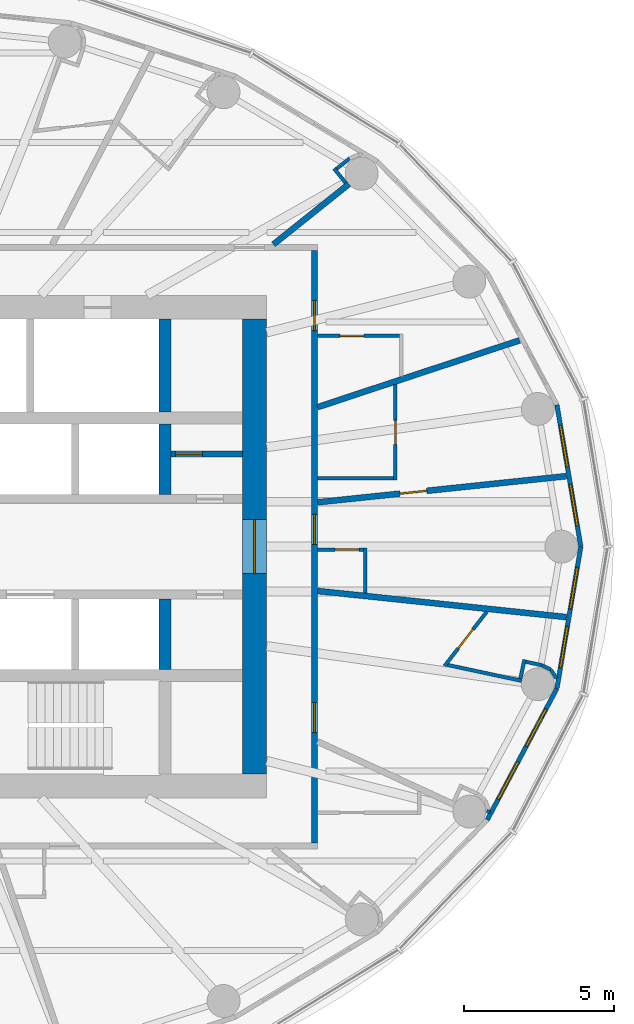
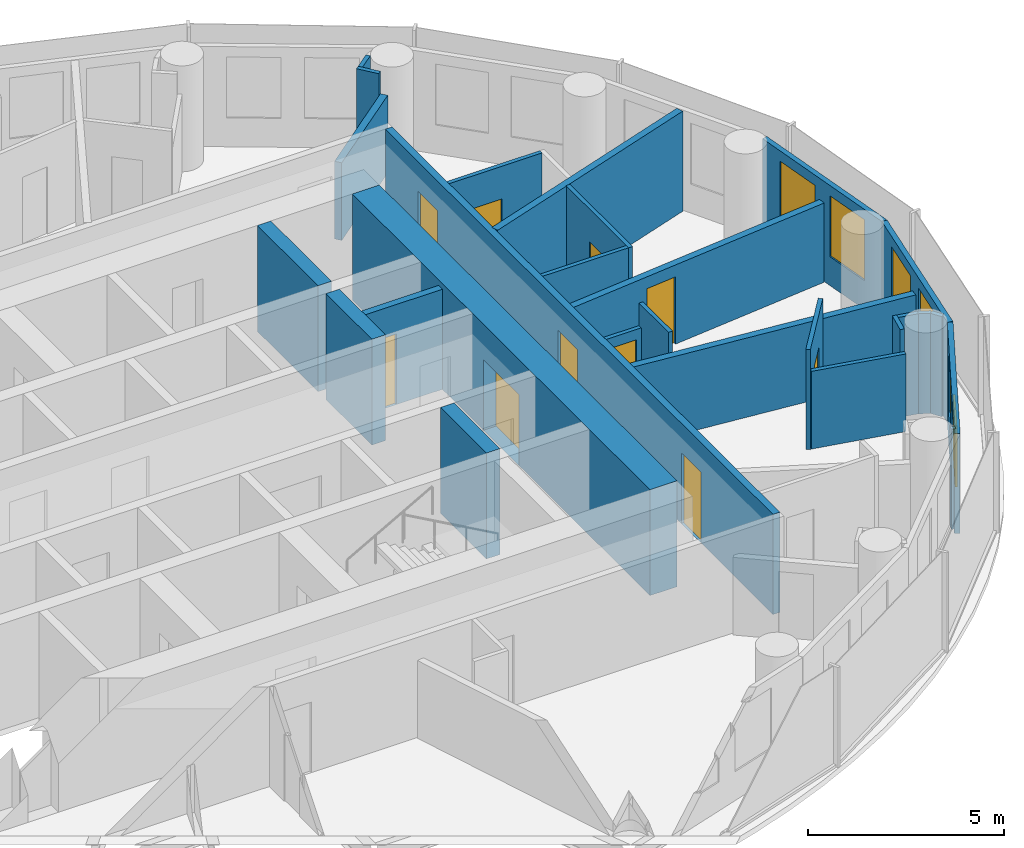
# One storey, part 11 of 16: 27 walls, 10 doors, 6 windows, 16 openings.
"""IFC4 building model written with IfcOpenShell, lengths in metres."""

from ifc_helpers import new_model, si_unit, direction, frame, frame_2d, origin, place, context, subcontext, project, spatial, rectangle, extrude, material, layer, layer_set, type_object, element, fill, save


model = new_model("IFC4")

# Units and contexts
model_context = context("Model", 3, precision=1e-05, world=origin(), true_north=direction((0.0, 1.0)))
body_context = subcontext(model_context, "Body", "Model", "MODEL_VIEW")
ifc_project = project(units=[si_unit("LENGTHUNIT", "METRE"), si_unit("AREAUNIT", "SQUARE_METRE"), si_unit("VOLUMEUNIT", "CUBIC_METRE"), si_unit("PLANEANGLEUNIT", "RADIAN"), si_unit("MASSUNIT", "GRAM", prefix="KILO")], contexts=[model_context])

# Site, building, storey
site_placement = place(None, origin())
site = spatial("IfcSite", under=ifc_project, at=site_placement, CompositionType="ELEMENT")
building_placement = place(site_placement, origin())
building = spatial("IfcBuilding", under=site, at=building_placement, Name="Hankou Lantern Tower", CompositionType="ELEMENT")
storey_placement = place(building_placement, frame((0.0, 0.0, 166.5)))
storey = spatial("IfcBuildingStorey", under=building, at=storey_placement, Name="L44", CompositionType="ELEMENT", Elevation=166.5)

# Wall, opening, door
ifc_material_1 = material(Name="Concrete C60", Category="concrete")
ifc_layer_1 = layer(ifc_material_1, 0.800048828125)
ifc_layer_set_1 = layer_set([ifc_layer_1], Name="Concrete C60")
wall_type_1 = type_object("IfcWallType", Name="CW2 CORE WALL 800", PredefinedType="SHEAR", material=ifc_layer_set_1)
wall_1_placement = place(storey_placement, frame((12.0, -7.60009765625, 0.0), z_axis=(0.0, 0.0, 1.0), x_axis=(0.0, 1.0, 0.0)))
wall_1 = element("IfcWall", 1, at=wall_1_placement, inside=storey, type_object=wall_type_1, Name="Core wall east L44", PredefinedType="SHEAR", context=body_context, shape_type="SweptSolid", body=[
    extrude(rectangle(XDim=15.2001953125, YDim=0.800048828125, at=frame_2d((7.60009765625, 0.0))), origin(), (0.0, 0.0, 1.0), 3.300048828125),
])
opening_1_placement = place(wall_1_placement, frame((6.699951171875, 0.0, 0.0)))
opening_1 = element("IfcOpeningElement", 2, at=opening_1_placement, cuts=wall_1, Name="Opening D6", PredefinedType="OPENING", context=body_context, shape_type="SweptSolid", body=[
    extrude(rectangle(XDim=1.800048828125, YDim=2.199951171875, at=frame_2d((0.89990234375, 1.10009765625))), frame((0.0, 0.409912109375, 0.0), z_axis=(0.0, -1.0, 0.0), x_axis=(1.0, 0.0, 0.0)), (0.0, 0.0, 1.0), 0.820068359375),
])
ifc_material_2 = material(Name="Steel door leaf", Category="steel")
door_type_1 = type_object("IfcDoorType", Name="D6 LIFT LOBBY DOOR 1800X2200", OperationType="DOUBLE_DOOR_DOUBLE_SWING", PredefinedType="DOOR", material=ifc_material_2)
door_1_placement = place(opening_1_placement, origin())
door_1 = element("IfcDoor", 3, at=door_1_placement, inside=storey, type_object=door_type_1, Name="Lift lobby east door", OperationType="DOUBLE_DOOR_DOUBLE_SWING", OverallHeight=2.199951171875, OverallWidth=1.800048828125, PredefinedType="DOOR", context=body_context, shape_type="SweptSolid", body=[
    extrude(rectangle(XDim=1.800048828125, YDim=2.199951171875, at=frame_2d((0.89990234375, 1.10009765625))), frame((0.0, 0.02490234375, 0.0), z_axis=(0.0, -1.0, 0.0), x_axis=(1.0, 0.0, 0.0)), (0.0, 0.0, 1.0), 0.050048828125),
])
fill(opening_1, door_1)

# Walls
ifc_material_3 = material(Name="Concrete C60", Category="concrete")
ifc_layer_2 = layer(ifc_material_3, 0.39990234375)
ifc_layer_set_2 = layer_set([ifc_layer_2], Name="Concrete C60")
wall_type_2 = type_object("IfcWallType", Name="CW4 CORE CROSS WALL 400", PredefinedType="SHEAR", material=ifc_layer_set_2)
wall_2_placement = place(storey_placement, frame((9.0, 4.5, 0.0), z_axis=(0.0, 0.0, 1.0), x_axis=(0.0, 1.0, 0.0)))
element("IfcWall", 4, at=wall_2_placement, inside=storey, type_object=wall_type_2, Name="Core strip wall L44", PredefinedType="SHEAR", context=body_context, shape_type="SweptSolid", body=[
    extrude(rectangle(XDim=3.10009765625, YDim=0.39990234375, at=frame_2d((1.550048828125, 0.0))), origin(), (0.0, 0.0, 1.0), 3.300048828125),
])
for number, where, z_axis, x_axis, name in (
    (5, (9.0, 1.75, 0.0), (0.0, 0.0, 1.0), (0.0, 1.0, 0.0), "Core strip wall L44"),
    (6, (9.0, -4.10009765625, 0.0), (0.0, 0.0, 1.0), (0.0, 1.0, 0.0), "Core strip wall L44"),
):
    element("IfcWall", number, at=place(storey_placement, frame(where, z_axis=z_axis, x_axis=x_axis)), inside=storey, type_object=wall_type_2, Name=name, PredefinedType="SHEAR", context=body_context, shape_type="SweptSolid", body=[
        extrude(rectangle(XDim=2.35009765625, YDim=0.39990234375, at=frame_2d((1.175048828125, 0.0))), origin(), (0.0, 0.0, 1.0), 3.300048828125),
    ])

# Wall, openings, windows
ifc_material_4 = material(Name="Aluminium spandrel panel on steel studs", Category="steel")
ifc_layer_3 = layer(ifc_material_4, 0.14990234375)
ifc_layer_set_3 = layer_set([ifc_layer_3], Name="Aluminium spandrel panel on steel studs")
wall_type_3 = type_object("IfcWallType", Name="EW1 INNER SKIN WALL 150", PredefinedType="ELEMENTEDWALL", material=ifc_layer_set_3)
wall_3_placement = place(storey_placement, frame((22.89990234375, 0.0, 0.0), z_axis=(0.0, 0.0, 1.0), x_axis=(-0.166162111254, 0.986098449843, 0.0)))
wall_3 = element("IfcWall", 7, at=wall_3_placement, inside=storey, type_object=wall_type_3, Name="Inner skin R01-R02 L44", PredefinedType="ELEMENTEDWALL", context=body_context, shape_type="SweptSolid", body=[
    extrude(rectangle(XDim=4.8046875, YDim=0.14990234375, at=frame_2d((2.40234375, 0.0))), origin(), (0.0, 0.0, 1.0), 3.1201171875),
])
opening_2_placement = place(wall_3_placement, frame((0.7021484375, 0.0, 0.89990234375)))
opening_2 = element("IfcOpeningElement", 8, at=opening_2_placement, cuts=wall_3, Name="Opening W3", PredefinedType="OPENING", context=body_context, shape_type="SweptSolid", body=[
    extrude(rectangle(XDim=1.39990234375, YDim=1.89990234375, at=frame_2d((0.699951171875, 0.949951171875))), frame((0.0, 0.0849609375, 0.0), z_axis=(0.0, -1.0, 0.0), x_axis=(1.0, 0.0, 0.0)), (0.0, 0.0, 1.0), 0.169921875),
])
opening_3_placement = place(wall_3_placement, frame((2.7021484375, 0.0, 0.89990234375)))
opening_3 = element("IfcOpeningElement", 9, at=opening_3_placement, cuts=wall_3, Name="Opening W3", PredefinedType="OPENING", context=body_context, shape_type="SweptSolid", body=[
    extrude(rectangle(XDim=1.39990234375, YDim=1.89990234375, at=frame_2d((0.699951171875, 0.949951171875))), frame((0.0, 0.0849609375, 0.0), z_axis=(0.0, -1.0, 0.0), x_axis=(1.0, 0.0, 0.0)), (0.0, 0.0, 1.0), 0.169921875),
])
ifc_material_5 = material(Name="Aluminium framed double glazed window", Category="aluminium")
window_type = type_object("IfcWindowType", Name="W3 GUEST ROOM WINDOW 1400X1900", PartitioningType="DOUBLE_PANEL_VERTICAL", PredefinedType="WINDOW", material=ifc_material_5)
window_1_placement = place(opening_2_placement, origin())
window_1 = element("IfcWindow", 10, at=window_1_placement, inside=storey, type_object=window_type, Name="Window R01.1 L44", OverallHeight=1.89990234375, OverallWidth=1.39990234375, PartitioningType="SINGLE_PANEL", PredefinedType="WINDOW", context=body_context, shape_type="SweptSolid", body=[
    extrude(rectangle(XDim=1.39990234375, YDim=1.89990234375, at=frame_2d((0.699951171875, 0.949951171875))), frame((0.0, 0.030029296875, 0.0), z_axis=(0.0, -1.0, 0.0), x_axis=(1.0, 0.0, 0.0)), (0.0, 0.0, 1.0), 0.06005859375),
])
fill(opening_2, window_1)
window_2_placement = place(opening_3_placement, origin())
window_2 = element("IfcWindow", 11, at=window_2_placement, inside=storey, type_object=window_type, Name="Window R01.2 L44", OverallHeight=1.89990234375, OverallWidth=1.39990234375, PartitioningType="SINGLE_PANEL", PredefinedType="WINDOW", context=body_context, shape_type="SweptSolid", body=[
    extrude(rectangle(XDim=1.39990234375, YDim=1.89990234375, at=frame_2d((0.699951171875, 0.949951171875))), frame((0.0, 0.030029296875, 0.0), z_axis=(0.0, -1.0, 0.0), x_axis=(1.0, 0.0, 0.0)), (0.0, 0.0, 1.0), 0.06005859375),
])
fill(opening_3, window_2)

wall_4_placement = place(storey_placement, frame((19.771728515625, -9.132080078125, 0.0), z_axis=(0.0, 0.0, 1.0), x_axis=(0.468428906714, 0.883501193748, 0.0)))
wall_4 = element("IfcWall", 12, at=wall_4_placement, inside=storey, type_object=wall_type_3, Name="Inner skin R23-R24 L44", PredefinedType="ELEMENTEDWALL", context=body_context, shape_type="SweptSolid", body=[
    extrude(rectangle(XDim=4.9736328125, YDim=0.14990234375, at=frame_2d((2.48681640625, 0.0))), origin(), (0.0, 0.0, 1.0), 3.1201171875),
])
opening_4_placement = place(wall_4_placement, frame((0.786865234375, 0.0, 0.89990234375)))
opening_4 = element("IfcOpeningElement", 13, at=opening_4_placement, cuts=wall_4, Name="Opening W3", PredefinedType="OPENING", context=body_context, shape_type="SweptSolid", body=[
    extrude(rectangle(XDim=1.39990234375, YDim=1.89990234375, at=frame_2d((0.699951171875, 0.949951171875))), frame((0.0, 0.0849609375, 0.0), z_axis=(0.0, -1.0, 0.0), x_axis=(1.0, 0.0, 0.0)), (0.0, 0.0, 1.0), 0.169921875),
])
opening_5_placement = place(wall_4_placement, frame((2.786865234375, 0.0, 0.89990234375)))
opening_5 = element("IfcOpeningElement", 14, at=opening_5_placement, cuts=wall_4, Name="Opening W3", PredefinedType="OPENING", context=body_context, shape_type="SweptSolid", body=[
    extrude(rectangle(XDim=1.39990234375, YDim=1.89990234375, at=frame_2d((0.699951171875, 0.949951171875))), frame((0.0, 0.0849609375, 0.0), z_axis=(0.0, -1.0, 0.0), x_axis=(1.0, 0.0, 0.0)), (0.0, 0.0, 1.0), 0.169921875),
])
window_3_placement = place(opening_4_placement, origin())
window_3 = element("IfcWindow", 15, at=window_3_placement, inside=storey, type_object=window_type, Name="Window R23.1 L44", OverallHeight=1.89990234375, OverallWidth=1.39990234375, PartitioningType="SINGLE_PANEL", PredefinedType="WINDOW", context=body_context, shape_type="SweptSolid", body=[
    extrude(rectangle(XDim=1.39990234375, YDim=1.89990234375, at=frame_2d((0.699951171875, 0.949951171875))), frame((0.0, 0.030029296875, 0.0), z_axis=(0.0, -1.0, 0.0), x_axis=(1.0, 0.0, 0.0)), (0.0, 0.0, 1.0), 0.06005859375),
])
fill(opening_4, window_3)
window_4_placement = place(opening_5_placement, origin())
window_4 = element("IfcWindow", 16, at=window_4_placement, inside=storey, type_object=window_type, Name="Window R23.2 L44", OverallHeight=1.89990234375, OverallWidth=1.39990234375, PartitioningType="SINGLE_PANEL", PredefinedType="WINDOW", context=body_context, shape_type="SweptSolid", body=[
    extrude(rectangle(XDim=1.39990234375, YDim=1.89990234375, at=frame_2d((0.699951171875, 0.949951171875))), frame((0.0, 0.030029296875, 0.0), z_axis=(0.0, -1.0, 0.0), x_axis=(1.0, 0.0, 0.0)), (0.0, 0.0, 1.0), 0.06005859375),
])
fill(opening_5, window_4)

wall_5_placement = place(storey_placement, frame((22.1015625, -4.73779296875, 0.0), z_axis=(0.0, 0.0, 1.0), x_axis=(0.166162111254, 0.986098449843, 0.0)))
wall_5 = element("IfcWall", 17, at=wall_5_placement, inside=storey, type_object=wall_type_3, Name="Inner skin R24-R01 L44", PredefinedType="ELEMENTEDWALL", context=body_context, shape_type="SweptSolid", body=[
    extrude(rectangle(XDim=4.8046875, YDim=0.14990234375, at=frame_2d((2.40234375, 0.0))), origin(), (0.0, 0.0, 1.0), 3.1201171875),
])
opening_6_placement = place(wall_5_placement, frame((0.7021484375, 0.0, 0.89990234375)))
opening_6 = element("IfcOpeningElement", 18, at=opening_6_placement, cuts=wall_5, Name="Opening W3", PredefinedType="OPENING", context=body_context, shape_type="SweptSolid", body=[
    extrude(rectangle(XDim=1.39990234375, YDim=1.89990234375, at=frame_2d((0.699951171875, 0.949951171875))), frame((0.0, 0.0849609375, 0.0), z_axis=(0.0, -1.0, 0.0), x_axis=(1.0, 0.0, 0.0)), (0.0, 0.0, 1.0), 0.169921875),
])
opening_7_placement = place(wall_5_placement, frame((2.7021484375, 0.0, 0.89990234375)))
opening_7 = element("IfcOpeningElement", 19, at=opening_7_placement, cuts=wall_5, Name="Opening W3", PredefinedType="OPENING", context=body_context, shape_type="SweptSolid", body=[
    extrude(rectangle(XDim=1.39990234375, YDim=1.89990234375, at=frame_2d((0.699951171875, 0.949951171875))), frame((0.0, 0.0849609375, 0.0), z_axis=(0.0, -1.0, 0.0), x_axis=(1.0, 0.0, 0.0)), (0.0, 0.0, 1.0), 0.169921875),
])
window_5_placement = place(opening_6_placement, origin())
window_5 = element("IfcWindow", 20, at=window_5_placement, inside=storey, type_object=window_type, Name="Window R24.1 L44", OverallHeight=1.89990234375, OverallWidth=1.39990234375, PartitioningType="SINGLE_PANEL", PredefinedType="WINDOW", context=body_context, shape_type="SweptSolid", body=[
    extrude(rectangle(XDim=1.39990234375, YDim=1.89990234375, at=frame_2d((0.699951171875, 0.949951171875))), frame((0.0, 0.030029296875, 0.0), z_axis=(0.0, -1.0, 0.0), x_axis=(1.0, 0.0, 0.0)), (0.0, 0.0, 1.0), 0.06005859375),
])
fill(opening_6, window_5)
window_6_placement = place(opening_7_placement, origin())
window_6 = element("IfcWindow", 21, at=window_6_placement, inside=storey, type_object=window_type, Name="Window R24.2 L44", OverallHeight=1.89990234375, OverallWidth=1.39990234375, PartitioningType="SINGLE_PANEL", PredefinedType="WINDOW", context=body_context, shape_type="SweptSolid", body=[
    extrude(rectangle(XDim=1.39990234375, YDim=1.89990234375, at=frame_2d((0.699951171875, 0.949951171875))), frame((0.0, 0.030029296875, 0.0), z_axis=(0.0, -1.0, 0.0), x_axis=(1.0, 0.0, 0.0)), (0.0, 0.0, 1.0), 0.06005859375),
])
fill(opening_7, window_6)

# Walls
ifc_material_6 = material(Name="Masonry lightweight concrete block", Category="masonry")
ifc_layer_4 = layer(ifc_material_6, 0.199951171875)
ifc_layer_set_4 = layer_set([ifc_layer_4], Name="Masonry lightweight concrete block")
wall_type_4 = type_object("IfcWallType", Name="IW1 GUEST ROOM PARTY WALL 200", PredefinedType="PARTITIONING", material=ifc_layer_set_4)
wall_6_placement = place(storey_placement, frame((14.10009765625, 4.661376953125, 0.0), z_axis=(0.0, 0.0, 1.0), x_axis=(0.949453216399, 0.313908569285, 0.0)))
element("IfcWall", 22, at=wall_6_placement, inside=storey, type_object=wall_type_4, Name="Party wall R02-R03", PredefinedType="PARTITIONING", context=body_context, shape_type="SweptSolid", body=[
    extrude(rectangle(XDim=7.108642578125, YDim=0.199951171875, at=frame_2d((3.55419921875, 0.0))), origin(), (0.0, 0.0, 1.0), 3.1201171875),
])
wall_7_placement = place(storey_placement, frame((12.625, 10.10009765625, 0.0), z_axis=(0.0, 0.0, 1.0), x_axis=(0.780876185034, 0.624685827954, 0.0)))
element("IfcWall", 23, at=wall_7_placement, inside=storey, type_object=wall_type_4, Name="Party wall R04", PredefinedType="PARTITIONING", context=body_context, shape_type="SweptSolid", body=[
    extrude(rectangle(XDim=3.229248046875, YDim=0.199951171875, at=frame_2d((1.61474609375, 0.0))), origin(), (0.0, 0.0, 1.0), 2.419921875),
])
wall_8_placement = place(storey_placement, frame((14.10009765625, -1.4814453125, 0.0), z_axis=(0.0, 0.0, 1.0), x_axis=(0.994524794819, -0.104500873159, 0.0)))
element("IfcWall", 24, at=wall_8_placement, inside=storey, type_object=wall_type_4, Name="Party wall R24-R01", PredefinedType="PARTITIONING", context=body_context, shape_type="SweptSolid", body=[
    extrude(rectangle(XDim=8.361572265625, YDim=0.199951171875, at=frame_2d((4.1806640625, 0.0))), origin(), (0.0, 0.0, 1.0), 2.469970703125),
])

# Wall, openings, doors
ifc_material_7 = material(Name="Masonry lightweight concrete block", Category="masonry")
ifc_layer_5 = layer(ifc_material_7, 0.199951171875)
ifc_layer_set_5 = layer_set([ifc_layer_5], Name="Masonry lightweight concrete block")
wall_type_5 = type_object("IfcWallType", Name="IW2 CORRIDOR WALL 200", PredefinedType="PARTITIONING", material=ifc_layer_set_5)
wall_9_placement = place(storey_placement, frame((14.0, -9.89990234375, 0.0), z_axis=(0.0, 0.0, 1.0), x_axis=(0.0, 1.0, 0.0)))
wall_9 = element("IfcWall", 25, at=wall_9_placement, inside=storey, type_object=wall_type_5, Name="Corridor wall east", PredefinedType="PARTITIONING", context=body_context, shape_type="SweptSolid", body=[
    extrude(rectangle(XDim=19.7998046875, YDim=0.199951171875, at=frame_2d((9.89990234375, 0.0))), origin(), (0.0, 0.0, 1.0), 3.1201171875),
])
opening_8_placement = place(wall_9_placement, frame((3.6875, 0.0, 0.0)))
opening_8 = element("IfcOpeningElement", 26, at=opening_8_placement, cuts=wall_9, Name="Opening D1", PredefinedType="OPENING", context=body_context, shape_type="SweptSolid", body=[
    extrude(rectangle(XDim=1.0, YDim=2.199951171875, at=frame_2d((0.5, 1.10009765625))), frame((0.0, 0.10986328125, 0.0), z_axis=(0.0, -1.0, 0.0), x_axis=(1.0, 0.0, 0.0)), (0.0, 0.0, 1.0), 0.219970703125),
])
opening_9_placement = place(wall_9_placement, frame((9.978515625, 0.0, 0.0)))
opening_9 = element("IfcOpeningElement", 27, at=opening_9_placement, cuts=wall_9, Name="Opening D2", PredefinedType="OPENING", context=body_context, shape_type="SweptSolid", body=[
    extrude(rectangle(XDim=1.0, YDim=2.199951171875, at=frame_2d((0.5, 1.10009765625))), frame((0.0, 0.10986328125, 0.0), z_axis=(0.0, -1.0, 0.0), x_axis=(1.0, 0.0, 0.0)), (0.0, 0.0, 1.0), 0.219970703125),
])
opening_10_placement = place(wall_9_placement, frame((17.12158203125, 0.0, 0.0)))
opening_10 = element("IfcOpeningElement", 28, at=opening_10_placement, cuts=wall_9, Name="Opening D1", PredefinedType="OPENING", context=body_context, shape_type="SweptSolid", body=[
    extrude(rectangle(XDim=1.0, YDim=2.199951171875, at=frame_2d((0.5, 1.10009765625))), frame((0.0, 0.10986328125, 0.0), z_axis=(0.0, -1.0, 0.0), x_axis=(1.0, 0.0, 0.0)), (0.0, 0.0, 1.0), 0.219970703125),
])
ifc_material_8 = material(Name="Steel door leaf", Category="steel")
door_type_2 = type_object("IfcDoorType", Name="D1 GUEST ROOM DOOR 1000X2200", OperationType="SINGLE_SWING_LEFT", PredefinedType="DOOR", material=ifc_material_8)
door_2_placement = place(opening_8_placement, origin())
door_2 = element("IfcDoor", 29, at=door_2_placement, inside=storey, type_object=door_type_2, Name="Guest room door 4404", OperationType="SINGLE_SWING_LEFT", OverallHeight=2.199951171875, OverallWidth=1.0, PredefinedType="DOOR", context=body_context, shape_type="SweptSolid", body=[
    extrude(rectangle(XDim=1.0, YDim=2.199951171875, at=frame_2d((0.5, 1.10009765625))), frame((0.0, 0.02490234375, 0.0), z_axis=(0.0, -1.0, 0.0), x_axis=(1.0, 0.0, 0.0)), (0.0, 0.0, 1.0), 0.050048828125),
])
fill(opening_8, door_2)
door_3_placement = place(opening_10_placement, origin())
door_3 = element("IfcDoor", 30, at=door_3_placement, inside=storey, type_object=door_type_2, Name="Guest room door 4406", OperationType="SINGLE_SWING_RIGHT", OverallHeight=2.199951171875, OverallWidth=1.0, PredefinedType="DOOR", context=body_context, shape_type="SweptSolid", body=[
    extrude(rectangle(XDim=1.0, YDim=2.199951171875, at=frame_2d((0.5, 1.10009765625))), frame((0.0, 0.02490234375, 0.0), z_axis=(0.0, -1.0, 0.0), x_axis=(1.0, 0.0, 0.0)), (0.0, 0.0, 1.0), 0.050048828125),
])
fill(opening_10, door_3)
ifc_material_9 = material(Name="Steel door leaf", Category="steel")
door_type_3 = type_object("IfcDoorType", Name="D2 SUITE DOOR 1000X2200", OperationType="SINGLE_SWING_LEFT", PredefinedType="DOOR", material=ifc_material_9)
door_4_placement = place(opening_9_placement, origin())
door_4 = element("IfcDoor", 31, at=door_4_placement, inside=storey, type_object=door_type_3, Name="Suite door 4405C", OperationType="SINGLE_SWING_RIGHT", OverallHeight=2.199951171875, OverallWidth=1.0, PredefinedType="DOOR", context=body_context, shape_type="SweptSolid", body=[
    extrude(rectangle(XDim=1.0, YDim=2.199951171875, at=frame_2d((0.5, 1.10009765625))), frame((0.0, 0.02490234375, 0.0), z_axis=(0.0, -1.0, 0.0), x_axis=(1.0, 0.0, 0.0)), (0.0, 0.0, 1.0), 0.050048828125),
])
fill(opening_9, door_4)

# Wall, opening, door
ifc_material_10 = material(Name="Masonry lightweight concrete block", Category="masonry")
ifc_layer_6 = layer(ifc_material_10, 0.1201171875)
ifc_layer_set_6 = layer_set([ifc_layer_6], Name="Masonry lightweight concrete block")
wall_type_6 = type_object("IfcWallType", Name="IW3 BATHROOM WALL 120", PredefinedType="PARTITIONING", material=ifc_layer_set_6)
wall_10_placement = place(storey_placement, frame((19.757568359375, -2.176513671875, 0.0), z_axis=(0.0, 0.0, 1.0), x_axis=(-0.614713147302, -0.788750750576, 0.0)))
wall_10 = element("IfcWall", 32, at=wall_10_placement, inside=storey, type_object=wall_type_6, Name="Box wall 4404 1", PredefinedType="PARTITIONING", context=body_context, shape_type="SweptSolid", body=[
    extrude(rectangle(XDim=2.29638671875, YDim=0.1201171875, at=frame_2d((1.148193359375, 0.0))), origin(), (0.0, 0.0, 1.0), 3.1201171875),
])
opening_11_placement = place(wall_10_placement, frame((0.748291015625, 0.0, 0.0)))
opening_11 = element("IfcOpeningElement", 33, at=opening_11_placement, cuts=wall_10, Name="Opening D3", PredefinedType="OPENING", context=body_context, shape_type="SweptSolid", body=[
    extrude(rectangle(XDim=0.800048828125, YDim=2.10009765625, at=frame_2d((0.39990234375, 1.050048828125))), frame((0.0, 0.070068359375, 0.0), z_axis=(0.0, -1.0, 0.0), x_axis=(1.0, 0.0, 0.0)), (0.0, 0.0, 1.0), 0.14013671875),
])
ifc_material_11 = material(Name="Timber door leaf", Category="wood")
door_type_4 = type_object("IfcDoorType", Name="D3 BATHROOM DOOR 800X2100", OperationType="SINGLE_SWING_LEFT", PredefinedType="DOOR", material=ifc_material_11)
door_5_placement = place(opening_11_placement, origin())
door_5 = element("IfcDoor", 34, at=door_5_placement, inside=storey, type_object=door_type_4, Name="En-suite bathroom 4404 door", OperationType="SINGLE_SWING_RIGHT", OverallHeight=2.10009765625, OverallWidth=0.800048828125, PredefinedType="DOOR", context=body_context, shape_type="SweptSolid", body=[
    extrude(rectangle(XDim=0.800048828125, YDim=2.10009765625, at=frame_2d((0.39990234375, 1.050048828125))), frame((0.0, 0.02490234375, 0.0), z_axis=(0.0, -1.0, 0.0), x_axis=(1.0, 0.0, 0.0)), (0.0, 0.0, 1.0), 0.050048828125),
])
fill(opening_11, door_5)

# Walls
wall_11_placement = place(storey_placement, frame((18.44140625, -3.953125, 0.0), z_axis=(0.0, 0.0, 1.0), x_axis=(0.977801007461, -0.209535652833, 0.0)))
element("IfcWall", 35, at=wall_11_placement, inside=storey, type_object=wall_type_6, Name="Box wall 4404 2", PredefinedType="PARTITIONING", context=body_context, shape_type="SweptSolid", body=[
    extrude(rectangle(XDim=2.5400390625, YDim=0.1201171875, at=frame_2d((1.27001953125, 0.0))), origin(), (0.0, 0.0, 1.0), 2.419921875),
])
wall_12_placement = place(storey_placement, frame((20.87890625, -4.414306640625, 0.0), z_axis=(0.0, 0.0, 1.0), x_axis=(0.209554644104, 0.977796937577, 0.0)))
element("IfcWall", 36, at=wall_12_placement, inside=storey, type_object=wall_type_6, Name="Column casing 4404 return", PredefinedType="PARTITIONING", context=body_context, shape_type="SweptSolid", body=[
    extrude(rectangle(XDim=0.65234375, YDim=0.1201171875, at=frame_2d((0.326171875, 0.0))), origin(), (0.0, 0.0, 1.0), 3.1201171875),
])
wall_13_placement = place(storey_placement, frame((21.061767578125, -3.84765625, 0.0), z_axis=(0.0, 0.0, 1.0), x_axis=(0.977789415726, -0.209589738521, 0.0)))
element("IfcWall", 37, at=wall_13_placement, inside=storey, type_object=wall_type_6, Name="Column casing 4404", PredefinedType="PARTITIONING", context=body_context, shape_type="SweptSolid", body=[
    extrude(rectangle(XDim=0.5498046875, YDim=0.1201171875, at=frame_2d((0.27490234375, 0.0))), origin(), (0.0, 0.0, 1.0), 3.1201171875),
])
wall_14_placement = place(storey_placement, frame((21.599365234375, -3.962890625, 0.0), z_axis=(0.0, 0.0, 1.0), x_axis=(0.890193602875, -0.455582428766, 0.0)))
element("IfcWall", 38, at=wall_14_placement, inside=storey, type_object=wall_type_6, Name="Column casing 4404", PredefinedType="PARTITIONING", context=body_context, shape_type="SweptSolid", body=[
    extrude(rectangle(XDim=0.337646484375, YDim=0.1201171875, at=frame_2d((0.1689453125, 0.0))), origin(), (0.0, 0.0, 1.0), 3.1201171875),
])
wall_15_placement = place(storey_placement, frame((21.89990234375, -4.11669921875, 0.0), z_axis=(0.0, 0.0, 1.0), x_axis=(0.543582688681, -0.839355622228, 0.0)))
element("IfcWall", 39, at=wall_15_placement, inside=storey, type_object=wall_type_6, Name="Column casing 4404", PredefinedType="PARTITIONING", context=body_context, shape_type="SweptSolid", body=[
    extrude(rectangle(XDim=0.3359375, YDim=0.1201171875, at=frame_2d((0.16796875, 0.0))), origin(), (0.0, 0.0, 1.0), 3.1201171875),
])
wall_16_placement = place(storey_placement, frame((15.699951171875, -1.549560546875, 0.0), z_axis=(0.0, 0.0, 1.0), x_axis=(0.0, 1.0, 0.0)))
element("IfcWall", 40, at=wall_16_placement, inside=storey, type_object=wall_type_6, Name="Box wall 4405C 1", PredefinedType="PARTITIONING", context=body_context, shape_type="SweptSolid", body=[
    extrude(rectangle(XDim=1.508056640625, YDim=0.1201171875, at=frame_2d((0.75390625, 0.0))), origin(), (0.0, 0.0, 1.0), 3.1201171875),
])

# Wall, opening, door
wall_17_placement = place(storey_placement, frame((14.10009765625, -0.1015625, 0.0), z_axis=(0.0, 0.0, 1.0), x_axis=(1.0, 0.0, 0.0)))
wall_17 = element("IfcWall", 41, at=wall_17_placement, inside=storey, type_object=wall_type_6, Name="Box wall 4405C 1", PredefinedType="PARTITIONING", context=body_context, shape_type="SweptSolid", body=[
    extrude(rectangle(XDim=1.539794921875, YDim=0.1201171875, at=frame_2d((0.77001953125, 0.0))), origin(), (0.0, 0.0, 1.0), 2.419921875),
])
opening_12_placement = place(wall_17_placement, frame((0.590087890625, 0.0, 0.0)))
opening_12 = element("IfcOpeningElement", 42, at=opening_12_placement, cuts=wall_17, Name="Opening D3", PredefinedType="OPENING", context=body_context, shape_type="SweptSolid", body=[
    extrude(rectangle(XDim=0.800048828125, YDim=2.10009765625, at=frame_2d((0.39990234375, 1.050048828125))), frame((0.0, 0.070068359375, 0.0), z_axis=(0.0, -1.0, 0.0), x_axis=(1.0, 0.0, 0.0)), (0.0, 0.0, 1.0), 0.14013671875),
])
door_6_placement = place(opening_12_placement, origin())
door_6 = element("IfcDoor", 43, at=door_6_placement, inside=storey, type_object=door_type_4, Name="Suite 4405 guest WC door", OperationType="SINGLE_SWING_LEFT", OverallHeight=2.10009765625, OverallWidth=0.800048828125, PredefinedType="DOOR", context=body_context, shape_type="SweptSolid", body=[
    extrude(rectangle(XDim=0.800048828125, YDim=2.10009765625, at=frame_2d((0.39990234375, 1.050048828125))), frame((0.0, 0.02490234375, 0.0), z_axis=(0.0, -1.0, 0.0), x_axis=(1.0, 0.0, 0.0)), (0.0, 0.0, 1.0), 0.050048828125),
])
fill(opening_12, door_6)

wall_18_placement = place(storey_placement, frame((16.699951171875, 5.421142578125, 0.0), z_axis=(0.0, 0.0, 1.0), x_axis=(0.0, -1.0, 0.0)))
wall_18 = element("IfcWall", 44, at=wall_18_placement, inside=storey, type_object=wall_type_6, Name="Box wall 4405A 1", PredefinedType="PARTITIONING", context=body_context, shape_type="SweptSolid", body=[
    extrude(rectangle(XDim=3.19970703125, YDim=0.1201171875, at=frame_2d((1.599853515625, 0.0))), origin(), (0.0, 0.0, 1.0), 3.1201171875),
])
opening_13_placement = place(wall_18_placement, frame((1.19970703125, 0.0, 0.0)))
opening_13 = element("IfcOpeningElement", 45, at=opening_13_placement, cuts=wall_18, Name="Opening D3", PredefinedType="OPENING", context=body_context, shape_type="SweptSolid", body=[
    extrude(rectangle(XDim=0.800048828125, YDim=2.10009765625, at=frame_2d((0.39990234375, 1.050048828125))), frame((0.0, 0.070068359375, 0.0), z_axis=(0.0, -1.0, 0.0), x_axis=(1.0, 0.0, 0.0)), (0.0, 0.0, 1.0), 0.14013671875),
])
door_7_placement = place(opening_13_placement, origin())
door_7 = element("IfcDoor", 46, at=door_7_placement, inside=storey, type_object=door_type_4, Name="Suite 4405 bathroom door", OperationType="SINGLE_SWING_LEFT", OverallHeight=2.10009765625, OverallWidth=0.800048828125, PredefinedType="DOOR", context=body_context, shape_type="SweptSolid", body=[
    extrude(rectangle(XDim=0.800048828125, YDim=2.10009765625, at=frame_2d((0.39990234375, 1.050048828125))), frame((0.0, 0.02490234375, 0.0), z_axis=(0.0, -1.0, 0.0), x_axis=(1.0, 0.0, 0.0)), (0.0, 0.0, 1.0), 0.050048828125),
])
fill(opening_13, door_7)

# Wall
wall_19_placement = place(storey_placement, frame((14.10009765625, 2.281494140625, 0.0), z_axis=(0.0, 0.0, 1.0), x_axis=(1.0, 0.0, 0.0)))
element("IfcWall", 47, at=wall_19_placement, inside=storey, type_object=wall_type_6, Name="Box wall 4405A 1", PredefinedType="PARTITIONING", context=body_context, shape_type="SweptSolid", body=[
    extrude(rectangle(XDim=2.539794921875, YDim=0.1201171875, at=frame_2d((1.27001953125, 0.0))), origin(), (0.0, 0.0, 1.0), 3.1201171875),
])

# Wall, opening, door
wall_20_placement = place(storey_placement, frame((14.10009765625, 7.04150390625, 0.0), z_axis=(0.0, 0.0, 1.0), x_axis=(1.0, 0.0, 0.0)))
wall_20 = element("IfcWall", 48, at=wall_20_placement, inside=storey, type_object=wall_type_6, Name="Box wall 4406 1", PredefinedType="PARTITIONING", context=body_context, shape_type="SweptSolid", body=[
    extrude(rectangle(XDim=2.739990234375, YDim=0.1201171875, at=frame_2d((1.3701171875, 0.0))), origin(), (0.0, 0.0, 1.0), 3.1201171875),
])
opening_14_placement = place(wall_20_placement, frame((0.75, 0.0, 0.0)))
opening_14 = element("IfcOpeningElement", 49, at=opening_14_placement, cuts=wall_20, Name="Opening D3", PredefinedType="OPENING", context=body_context, shape_type="SweptSolid", body=[
    extrude(rectangle(XDim=0.800048828125, YDim=2.10009765625, at=frame_2d((0.39990234375, 1.050048828125))), frame((0.0, 0.070068359375, 0.0), z_axis=(0.0, -1.0, 0.0), x_axis=(1.0, 0.0, 0.0)), (0.0, 0.0, 1.0), 0.14013671875),
])
door_8_placement = place(opening_14_placement, origin())
door_8 = element("IfcDoor", 50, at=door_8_placement, inside=storey, type_object=door_type_4, Name="En-suite bathroom 4406 door", OperationType="SINGLE_SWING_LEFT", OverallHeight=2.10009765625, OverallWidth=0.800048828125, PredefinedType="DOOR", context=body_context, shape_type="SweptSolid", body=[
    extrude(rectangle(XDim=0.800048828125, YDim=2.10009765625, at=frame_2d((0.39990234375, 1.050048828125))), frame((0.0, 0.02490234375, 0.0), z_axis=(0.0, -1.0, 0.0), x_axis=(1.0, 0.0, 0.0)), (0.0, 0.0, 1.0), 0.050048828125),
])
fill(opening_14, door_8)

# Walls
ifc_material_12 = material(Name="Masonry lightweight concrete block", Category="masonry")
ifc_layer_7 = layer(ifc_material_12, 0.1201171875)
ifc_layer_set_7 = layer_set([ifc_layer_7], Name="Masonry lightweight concrete block")
wall_type_7 = type_object("IfcWallType", Name="IW4 PARTITION 120", PredefinedType="PARTITIONING", material=ifc_layer_set_7)
wall_21_placement = place(storey_placement, frame((15.037353515625, 12.157958984375, 0.0), z_axis=(0.0, 0.0, 1.0), x_axis=(-0.624840920722, 0.78075208856, 0.0)))
element("IfcWall", 51, at=wall_21_placement, inside=storey, type_object=wall_type_7, Name="Column casing R04 return", PredefinedType="PARTITIONING", context=body_context, shape_type="SweptSolid", body=[
    extrude(rectangle(XDim=0.6123046875, YDim=0.1201171875, at=frame_2d((0.30615234375, 0.0))), origin(), (0.0, 0.0, 1.0), 3.1201171875),
])
wall_22_placement = place(storey_placement, frame((14.7392578125, 12.626708984375, 0.0), z_axis=(0.0, 0.0, 1.0), x_axis=(0.780912119987, 0.624640905527, 0.0)))
element("IfcWall", 52, at=wall_22_placement, inside=storey, type_object=wall_type_7, Name="Column casing R04", PredefinedType="PARTITIONING", context=body_context, shape_type="SweptSolid", body=[
    extrude(rectangle(XDim=0.5498046875, YDim=0.1201171875, at=frame_2d((0.27490234375, 0.0))), origin(), (0.0, 0.0, 1.0), 3.1201171875),
])
wall_23_placement = place(storey_placement, frame((19.82177734375, -8.796142578125, 0.0), z_axis=(0.0, 0.0, 1.0), x_axis=(-0.169701508781, -0.985495508827, 0.0)))
element("IfcWall", 53, at=wall_23_placement, inside=storey, type_object=wall_type_7, Name="Column casing R23", PredefinedType="PARTITIONING", context=body_context, shape_type="SweptSolid", body=[
    extrude(rectangle(XDim=0.119384765625, YDim=0.1201171875, at=frame_2d((0.0595703125, 0.0))), origin(), (0.0, 0.0, 1.0), 3.1201171875),
])

# Wall, opening, door
ifc_material_13 = material(Name="Masonry lightweight concrete block", Category="masonry")
ifc_layer_8 = layer(ifc_material_13, 0.199951171875)
ifc_layer_set_8 = layer_set([ifc_layer_8], Name="Masonry lightweight concrete block")
wall_type_8 = type_object("IfcWallType", Name="IW6 SUITE PARTITION 200", PredefinedType="PARTITIONING", material=ifc_layer_set_8)
wall_24_placement = place(storey_placement, frame((14.10009765625, 1.4814453125, 0.0), z_axis=(0.0, 0.0, 1.0), x_axis=(0.994524794819, 0.104500873159, 0.0)))
wall_24 = element("IfcWall", 54, at=wall_24_placement, inside=storey, type_object=wall_type_8, Name="Suite partition R01-R02", PredefinedType="PARTITIONING", context=body_context, shape_type="SweptSolid", body=[
    extrude(rectangle(XDim=8.361572265625, YDim=0.199951171875, at=frame_2d((4.1806640625, 0.0))), origin(), (0.0, 0.0, 1.0), 2.469970703125),
])
opening_15_placement = place(wall_24_placement, frame((2.77001953125, 0.0, 0.0)))
opening_15 = element("IfcOpeningElement", 55, at=opening_15_placement, cuts=wall_24, Name="Opening D27", PredefinedType="OPENING", context=body_context, shape_type="SweptSolid", body=[
    extrude(rectangle(XDim=0.89990234375, YDim=2.10009765625, at=frame_2d((0.449951171875, 1.050048828125))), frame((0.0, 0.10986328125, 0.0), z_axis=(0.0, -1.0, 0.0), x_axis=(1.0, 0.0, 0.0)), (0.0, 0.0, 1.0), 0.219970703125),
])
ifc_material_14 = material(Name="Timber door leaf", Category="wood")
door_type_5 = type_object("IfcDoorType", Name="D27 INTERNAL DOOR 900X2100", OperationType="SINGLE_SWING_LEFT", PredefinedType="DOOR", material=ifc_material_14)
door_9_placement = place(opening_15_placement, origin())
door_9 = element("IfcDoor", 56, at=door_9_placement, inside=storey, type_object=door_type_5, Name="Suite 4405 bedroom door", OperationType="SINGLE_SWING_LEFT", OverallHeight=2.10009765625, OverallWidth=0.89990234375, PredefinedType="DOOR", context=body_context, shape_type="SweptSolid", body=[
    extrude(rectangle(XDim=0.89990234375, YDim=2.10009765625, at=frame_2d((0.449951171875, 1.050048828125))), frame((0.0, 0.02490234375, 0.0), z_axis=(0.0, -1.0, 0.0), x_axis=(1.0, 0.0, 0.0)), (0.0, 0.0, 1.0), 0.050048828125),
])
fill(opening_15, door_9)

ifc_material_15 = material(Name="Masonry lightweight concrete block", Category="masonry")
ifc_layer_9 = layer(ifc_material_15, 0.199951171875)
ifc_layer_set_9 = layer_set([ifc_layer_9], Name="Masonry lightweight concrete block")
wall_type_9 = type_object("IfcWallType", Name="IW8 PARTITION 200", PredefinedType="PARTITIONING", material=ifc_layer_set_9)
wall_25_placement = place(storey_placement, frame((9.199951171875, 3.10009765625, 0.0), z_axis=(0.0, 0.0, 1.0), x_axis=(1.0, 0.0, 0.0)))
wall_25 = element("IfcWall", 57, at=wall_25_placement, inside=storey, type_object=wall_type_9, Name="Partition staff locker room", PredefinedType="PARTITIONING", context=body_context, shape_type="SweptSolid", body=[
    extrude(rectangle(XDim=2.400146484375, YDim=0.199951171875, at=frame_2d((1.2001953125, 0.0))), origin(), (0.0, 0.0, 1.0), 3.1201171875),
])
opening_16_placement = place(wall_25_placement, frame((0.14990234375, 0.0, 0.0)))
opening_16 = element("IfcOpeningElement", 58, at=opening_16_placement, cuts=wall_25, Name="Opening D12", PredefinedType="OPENING", context=body_context, shape_type="SweptSolid", body=[
    extrude(rectangle(XDim=0.89990234375, YDim=2.199951171875, at=frame_2d((0.449951171875, 1.10009765625))), frame((0.0, 0.10986328125, 0.0), z_axis=(0.0, -1.0, 0.0), x_axis=(1.0, 0.0, 0.0)), (0.0, 0.0, 1.0), 0.219970703125),
])
ifc_material_16 = material(Name="Steel door leaf", Category="steel")
door_type_6 = type_object("IfcDoorType", Name="D12 STORE DOOR 900X2200", OperationType="SINGLE_SWING_LEFT", PredefinedType="DOOR", material=ifc_material_16)
door_10_placement = place(opening_16_placement, origin())
door_10 = element("IfcDoor", 59, at=door_10_placement, inside=storey, type_object=door_type_6, Name="Uniform cupboard door", OperationType="SINGLE_SWING_LEFT", OverallHeight=2.199951171875, OverallWidth=0.89990234375, PredefinedType="DOOR", context=body_context, shape_type="SweptSolid", body=[
    extrude(rectangle(XDim=0.89990234375, YDim=2.199951171875, at=frame_2d((0.449951171875, 1.10009765625))), frame((0.0, 0.02490234375, 0.0), z_axis=(0.0, -1.0, 0.0), x_axis=(1.0, 0.0, 0.0)), (0.0, 0.0, 1.0), 0.050048828125),
])
fill(opening_16, door_10)

save(model, "model.ifc")
